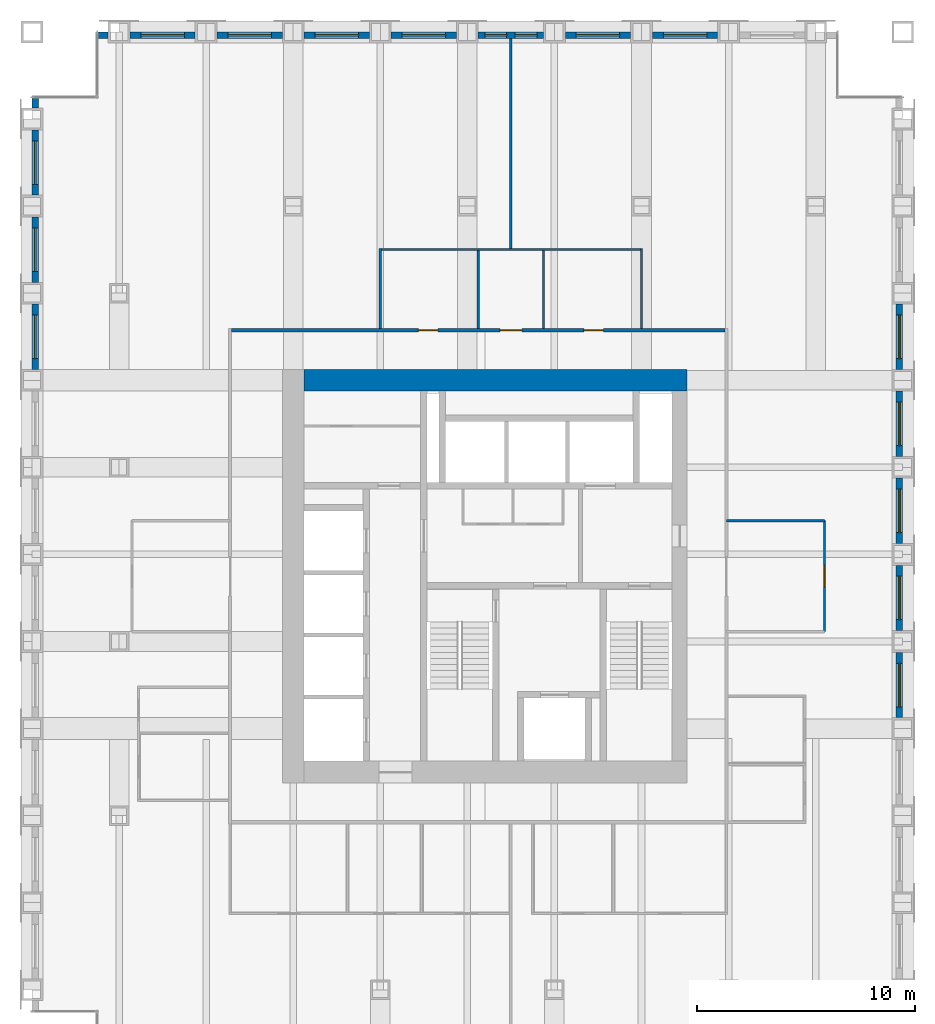
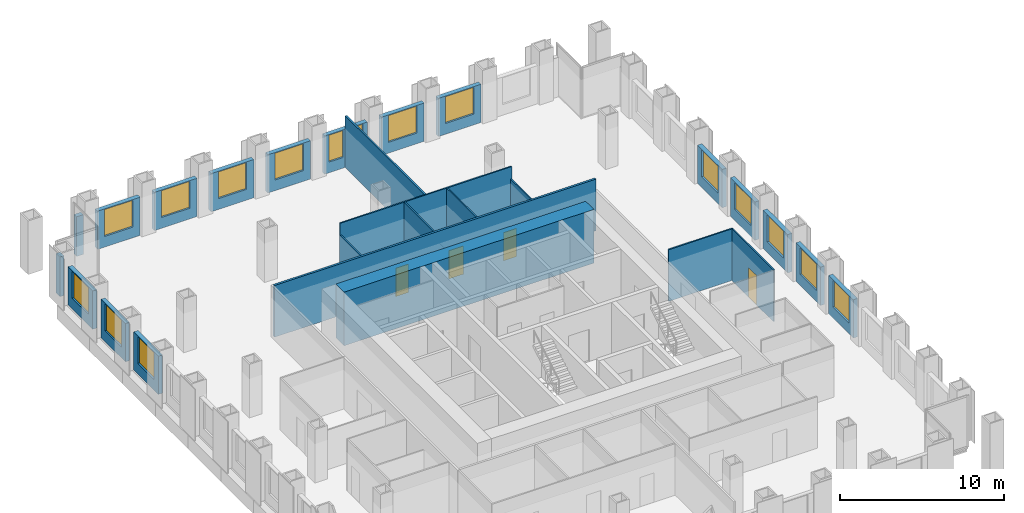
# One storey, part 10 of 12: 27 walls, 16 windows, 4 doors, 20 openings.
"""IFC4 building model written with IfcOpenShell, lengths in metres."""

from ifc_helpers import new_model, si_unit, direction, frame, frame_2d, origin, place, context, subcontext, project, spatial, rectangle, extrude, material, layer, layer_set, type_object, element, fill, save


model = new_model("IFC4")

# Units and contexts
model_context = context("Model", 3, precision=1e-05, world=origin(), true_north=direction((0.0, 1.0)))
body_context = subcontext(model_context, "Body", "Model", "MODEL_VIEW")
ifc_project = project(units=[si_unit("LENGTHUNIT", "METRE"), si_unit("AREAUNIT", "SQUARE_METRE"), si_unit("VOLUMEUNIT", "CUBIC_METRE"), si_unit("PLANEANGLEUNIT", "RADIAN"), si_unit("MASSUNIT", "GRAM", prefix="KILO")], contexts=[model_context])

# Site, building, storey
site_placement = place(None, origin())
site = spatial("IfcSite", under=ifc_project, at=site_placement, CompositionType="ELEMENT")
building_placement = place(site_placement, origin())
building = spatial("IfcBuilding", under=site, at=building_placement, Name="Rimbunsela Tower", CompositionType="ELEMENT")
storey_placement = place(building_placement, frame((0.0, 0.0, 155.800048828125)))
storey = spatial("IfcBuildingStorey", under=building, at=storey_placement, Name="L37", CompositionType="ELEMENT", Elevation=155.800048828125)

# Wall
ifc_material_1 = material(Name="Concrete fc' 80 MPa", Category="concrete")
ifc_layer_1 = layer(ifc_material_1, 1.0)
ifc_layer_set_1 = layer_set([ifc_layer_1], Name="Core wall 1000")
wall_type_1 = type_object("IfcWallType", Name="Core wall 1000", PredefinedType="SHEAR", material=ifc_layer_set_1)
wall_1_placement = place(storey_placement, frame((18.5, 36.0, -0.150146484375), z_axis=(0.0, 0.0, 1.0), x_axis=(1.0, 0.0, 0.0)))
element("IfcWall", 1, at=wall_1_placement, inside=storey, type_object=wall_type_1, Name="Core wall north", PredefinedType="SHEAR", context=body_context, shape_type="SweptSolid", body=[
    extrude(rectangle(XDim=17.60009765625, YDim=1.0, at=frame_2d((8.800048828125, 0.0))), origin(), (0.0, 0.0, 1.0), 4.0),
])

# Wall, opening, door
ifc_material_2 = material(Name="Gypsum board on steel studs", Category="steel")
ifc_layer_2 = layer(ifc_material_2, 0.10009765625)
ifc_layer_set_2 = layer_set([ifc_layer_2], Name="Office partition 100")
wall_type_2 = type_object("IfcWallType", Name="Office partition 100", PredefinedType="PARTITIONING", material=ifc_layer_set_2)
wall_2_placement = place(storey_placement, frame((42.39990234375, 24.449951171875, 0.0), z_axis=(0.0, 0.0, 1.0), x_axis=(0.0, 1.0, 0.0)))
wall_2 = element("IfcWall", 2, at=wall_2_placement, inside=storey, type_object=wall_type_2, Name="Office partition", PredefinedType="PARTITIONING", context=body_context, shape_type="SweptSolid", body=[
    extrude(rectangle(XDim=5.10009765625, YDim=0.10009765625, at=frame_2d((2.550048828125, 0.0))), origin(), (0.0, 0.0, 1.0), 3.849853515625),
])
opening_1_placement = place(wall_2_placement, frame((2.050048828125, 0.0, 0.0)))
opening_1 = element("IfcOpeningElement", 3, at=opening_1_placement, cuts=wall_2, Name="Opening D17", PredefinedType="OPENING", context=body_context, shape_type="SweptSolid", body=[
    extrude(rectangle(XDim=1.0, YDim=2.199951171875, at=frame_2d((0.5, 1.10009765625))), frame((0.0, 0.06005859375, 0.0), z_axis=(0.0, -1.0, 0.0), x_axis=(1.0, 0.0, 0.0)), (0.0, 0.0, 1.0), 0.1201171875),
])
ifc_material_3 = material(Name="Glazed aluminium door", Category="aluminium")
door_type_1 = type_object("IfcDoorType", Name="Meeting room door 1000 glazed", OperationType="SINGLE_SWING_RIGHT", PredefinedType="DOOR", material=ifc_material_3)
door_1_placement = place(opening_1_placement, origin())
door_1 = element("IfcDoor", 4, at=door_1_placement, inside=storey, type_object=door_type_1, Name="Reception door", OperationType="SINGLE_SWING_RIGHT", OverallHeight=2.199951171875, OverallWidth=1.0, PredefinedType="DOOR", context=body_context, shape_type="SweptSolid", body=[
    extrude(rectangle(XDim=1.0, YDim=2.199951171875, at=frame_2d((0.5, 1.10009765625))), frame((0.0, 0.02490234375, 0.0), z_axis=(0.0, -1.0, 0.0), x_axis=(1.0, 0.0, 0.0)), (0.0, 0.0, 1.0), 0.050048828125),
])
fill(opening_1, door_1)

# Wall
wall_3_placement = place(storey_placement, frame((42.39990234375, 29.550048828125, 0.0), z_axis=(0.0, 0.0, 1.0), x_axis=(-1.0, 0.0, 0.0)))
element("IfcWall", 5, at=wall_3_placement, inside=storey, type_object=wall_type_2, Name="Office partition", PredefinedType="PARTITIONING", context=body_context, shape_type="SweptSolid", body=[
    extrude(rectangle(XDim=4.5, YDim=0.10009765625, at=frame_2d((2.25, 0.0))), origin(), (0.0, 0.0, 1.0), 3.849853515625),
])

# Wall, opening, window
ifc_material_4 = material(Name="Precast concrete fc' 35 MPa", Category="concrete")
ifc_layer_3 = layer(ifc_material_4, 0.300048828125)
ifc_layer_set_3 = layer_set([ifc_layer_3], Name="Precast concrete fc' 35 MPa")
wall_type_3 = type_object("IfcWallType", Name="Precast facade panel 300", PredefinedType="ELEMENTEDWALL", material=ifc_layer_set_3)
wall_4_placement = place(storey_placement, frame((45.85009765625, 20.5, 0.0), z_axis=(0.0, 0.0, 1.0), x_axis=(0.0, 1.0, 0.0)))
wall_4 = element("IfcWall", 6, at=wall_4_placement, inside=storey, type_object=wall_type_3, Name="Facade panel E L37", PredefinedType="ELEMENTEDWALL", context=body_context, shape_type="SweptSolid", body=[
    extrude(rectangle(XDim=3.0, YDim=0.300048828125, at=frame_2d((1.5, 0.0))), origin(), (0.0, 0.0, 1.0), 2.849853515625),
])
opening_2_placement = place(wall_4_placement, frame((0.5, 0.0, 0.800048828125)))
opening_2 = element("IfcOpeningElement", 7, at=opening_2_placement, cuts=wall_4, Name="Opening W1", PredefinedType="OPENING", context=body_context, shape_type="SweptSolid", body=[
    extrude(rectangle(XDim=2.0, YDim=2.0, at=frame_2d((1.0, 1.0))), frame((0.0, 0.159912109375, 0.0), z_axis=(0.0, -1.0, 0.0), x_axis=(1.0, 0.0, 0.0)), (0.0, 0.0, 1.0), 0.320068359375),
])
ifc_material_5 = material(Name="Clear glass in aluminium frame", Category="aluminium")
window_type_1 = type_object("IfcWindowType", Name="Window W1 2000x2000", PartitioningType="DOUBLE_PANEL_VERTICAL", PredefinedType="WINDOW", material=ifc_material_5)
window_1_placement = place(opening_2_placement, origin())
window_1 = element("IfcWindow", 8, at=window_1_placement, inside=storey, type_object=window_type_1, Name="Window L37", OverallHeight=2.0, OverallWidth=2.0, PartitioningType="SINGLE_PANEL", PredefinedType="WINDOW", context=body_context, shape_type="SweptSolid", body=[
    extrude(rectangle(XDim=2.0, YDim=2.0, at=frame_2d((1.0, 1.0))), frame((0.0, 0.030029296875, 0.0), z_axis=(0.0, -1.0, 0.0), x_axis=(1.0, 0.0, 0.0)), (0.0, 0.0, 1.0), 0.06005859375),
])
fill(opening_2, window_1)

wall_5_placement = place(storey_placement, frame((45.85009765625, 24.5, 0.0), z_axis=(0.0, 0.0, 1.0), x_axis=(0.0, 1.0, 0.0)))
wall_5 = element("IfcWall", 9, at=wall_5_placement, inside=storey, type_object=wall_type_3, Name="Facade panel E L37", PredefinedType="ELEMENTEDWALL", context=body_context, shape_type="SweptSolid", body=[
    extrude(rectangle(XDim=3.0, YDim=0.300048828125, at=frame_2d((1.5, 0.0))), origin(), (0.0, 0.0, 1.0), 2.849853515625),
])
opening_3_placement = place(wall_5_placement, frame((0.5, 0.0, 0.800048828125)))
opening_3 = element("IfcOpeningElement", 10, at=opening_3_placement, cuts=wall_5, Name="Opening W1", PredefinedType="OPENING", context=body_context, shape_type="SweptSolid", body=[
    extrude(rectangle(XDim=2.0, YDim=2.0, at=frame_2d((1.0, 1.0))), frame((0.0, 0.159912109375, 0.0), z_axis=(0.0, -1.0, 0.0), x_axis=(1.0, 0.0, 0.0)), (0.0, 0.0, 1.0), 0.320068359375),
])
window_2_placement = place(opening_3_placement, origin())
window_2 = element("IfcWindow", 11, at=window_2_placement, inside=storey, type_object=window_type_1, Name="Window L37", OverallHeight=2.0, OverallWidth=2.0, PartitioningType="SINGLE_PANEL", PredefinedType="WINDOW", context=body_context, shape_type="SweptSolid", body=[
    extrude(rectangle(XDim=2.0, YDim=2.0, at=frame_2d((1.0, 1.0))), frame((0.0, 0.030029296875, 0.0), z_axis=(0.0, -1.0, 0.0), x_axis=(1.0, 0.0, 0.0)), (0.0, 0.0, 1.0), 0.06005859375),
])
fill(opening_3, window_2)

wall_6_placement = place(storey_placement, frame((45.85009765625, 28.5, 0.0), z_axis=(0.0, 0.0, 1.0), x_axis=(0.0, 1.0, 0.0)))
wall_6 = element("IfcWall", 12, at=wall_6_placement, inside=storey, type_object=wall_type_3, Name="Facade panel E L37", PredefinedType="ELEMENTEDWALL", context=body_context, shape_type="SweptSolid", body=[
    extrude(rectangle(XDim=3.0, YDim=0.300048828125, at=frame_2d((1.5, 0.0))), origin(), (0.0, 0.0, 1.0), 2.849853515625),
])
opening_4_placement = place(wall_6_placement, frame((0.5, 0.0, 0.800048828125)))
opening_4 = element("IfcOpeningElement", 13, at=opening_4_placement, cuts=wall_6, Name="Opening W1", PredefinedType="OPENING", context=body_context, shape_type="SweptSolid", body=[
    extrude(rectangle(XDim=2.0, YDim=2.0, at=frame_2d((1.0, 1.0))), frame((0.0, 0.159912109375, 0.0), z_axis=(0.0, -1.0, 0.0), x_axis=(1.0, 0.0, 0.0)), (0.0, 0.0, 1.0), 0.320068359375),
])
window_3_placement = place(opening_4_placement, origin())
window_3 = element("IfcWindow", 14, at=window_3_placement, inside=storey, type_object=window_type_1, Name="Window L37", OverallHeight=2.0, OverallWidth=2.0, PartitioningType="SINGLE_PANEL", PredefinedType="WINDOW", context=body_context, shape_type="SweptSolid", body=[
    extrude(rectangle(XDim=2.0, YDim=2.0, at=frame_2d((1.0, 1.0))), frame((0.0, 0.030029296875, 0.0), z_axis=(0.0, -1.0, 0.0), x_axis=(1.0, 0.0, 0.0)), (0.0, 0.0, 1.0), 0.06005859375),
])
fill(opening_4, window_3)

wall_7_placement = place(storey_placement, frame((45.85009765625, 32.5, 0.0), z_axis=(0.0, 0.0, 1.0), x_axis=(0.0, 1.0, 0.0)))
wall_7 = element("IfcWall", 15, at=wall_7_placement, inside=storey, type_object=wall_type_3, Name="Facade panel E L37", PredefinedType="ELEMENTEDWALL", context=body_context, shape_type="SweptSolid", body=[
    extrude(rectangle(XDim=3.0, YDim=0.300048828125, at=frame_2d((1.5, 0.0))), origin(), (0.0, 0.0, 1.0), 2.849853515625),
])
opening_5_placement = place(wall_7_placement, frame((0.5, 0.0, 0.800048828125)))
opening_5 = element("IfcOpeningElement", 16, at=opening_5_placement, cuts=wall_7, Name="Opening W1", PredefinedType="OPENING", context=body_context, shape_type="SweptSolid", body=[
    extrude(rectangle(XDim=2.0, YDim=2.0, at=frame_2d((1.0, 1.0))), frame((0.0, 0.159912109375, 0.0), z_axis=(0.0, -1.0, 0.0), x_axis=(1.0, 0.0, 0.0)), (0.0, 0.0, 1.0), 0.320068359375),
])
window_4_placement = place(opening_5_placement, origin())
window_4 = element("IfcWindow", 17, at=window_4_placement, inside=storey, type_object=window_type_1, Name="Window L37", OverallHeight=2.0, OverallWidth=2.0, PartitioningType="SINGLE_PANEL", PredefinedType="WINDOW", context=body_context, shape_type="SweptSolid", body=[
    extrude(rectangle(XDim=2.0, YDim=2.0, at=frame_2d((1.0, 1.0))), frame((0.0, 0.030029296875, 0.0), z_axis=(0.0, -1.0, 0.0), x_axis=(1.0, 0.0, 0.0)), (0.0, 0.0, 1.0), 0.06005859375),
])
fill(opening_5, window_4)

wall_8_placement = place(storey_placement, frame((45.85009765625, 36.5, 0.0), z_axis=(0.0, 0.0, 1.0), x_axis=(0.0, 1.0, 0.0)))
wall_8 = element("IfcWall", 18, at=wall_8_placement, inside=storey, type_object=wall_type_3, Name="Facade panel E L37", PredefinedType="ELEMENTEDWALL", context=body_context, shape_type="SweptSolid", body=[
    extrude(rectangle(XDim=3.0, YDim=0.300048828125, at=frame_2d((1.5, 0.0))), origin(), (0.0, 0.0, 1.0), 2.849853515625),
])
opening_6_placement = place(wall_8_placement, frame((0.5, 0.0, 0.800048828125)))
opening_6 = element("IfcOpeningElement", 19, at=opening_6_placement, cuts=wall_8, Name="Opening W1", PredefinedType="OPENING", context=body_context, shape_type="SweptSolid", body=[
    extrude(rectangle(XDim=2.0, YDim=2.0, at=frame_2d((1.0, 1.0))), frame((0.0, 0.159912109375, 0.0), z_axis=(0.0, -1.0, 0.0), x_axis=(1.0, 0.0, 0.0)), (0.0, 0.0, 1.0), 0.320068359375),
])
window_5_placement = place(opening_6_placement, origin())
window_5 = element("IfcWindow", 20, at=window_5_placement, inside=storey, type_object=window_type_1, Name="Window L37", OverallHeight=2.0, OverallWidth=2.0, PartitioningType="SINGLE_PANEL", PredefinedType="WINDOW", context=body_context, shape_type="SweptSolid", body=[
    extrude(rectangle(XDim=2.0, YDim=2.0, at=frame_2d((1.0, 1.0))), frame((0.0, 0.030029296875, 0.0), z_axis=(0.0, -1.0, 0.0), x_axis=(1.0, 0.0, 0.0)), (0.0, 0.0, 1.0), 0.06005859375),
])
fill(opening_6, window_5)

# Wall
wall_9_placement = place(storey_placement, frame((9.5, 51.85009765625, 0.0), z_axis=(0.0, 0.0, 1.0), x_axis=(-1.0, 0.0, 0.0)))
element("IfcWall", 21, at=wall_9_placement, inside=storey, type_object=wall_type_3, Name="Facade panel N L37", PredefinedType="ELEMENTEDWALL", context=body_context, shape_type="SweptSolid", body=[
    extrude(rectangle(XDim=0.469970703125, YDim=0.300048828125, at=frame_2d((0.23486328125, 0.0))), origin(), (0.0, 0.0, 1.0), 2.949951171875),
])

# Wall, opening, window
wall_10_placement = place(storey_placement, frame((13.5, 51.85009765625, 0.0), z_axis=(0.0, 0.0, 1.0), x_axis=(-1.0, 0.0, 0.0)))
wall_10 = element("IfcWall", 22, at=wall_10_placement, inside=storey, type_object=wall_type_3, Name="Facade panel N L37", PredefinedType="ELEMENTEDWALL", context=body_context, shape_type="SweptSolid", body=[
    extrude(rectangle(XDim=3.0, YDim=0.300048828125, at=frame_2d((1.5, 0.0))), origin(), (0.0, 0.0, 1.0), 2.849853515625),
])
opening_7_placement = place(wall_10_placement, frame((0.5, 0.0, 0.800048828125)))
opening_7 = element("IfcOpeningElement", 23, at=opening_7_placement, cuts=wall_10, Name="Opening W1", PredefinedType="OPENING", context=body_context, shape_type="SweptSolid", body=[
    extrude(rectangle(XDim=2.0, YDim=2.0, at=frame_2d((1.0, 1.0))), frame((0.0, 0.159912109375, 0.0), z_axis=(0.0, -1.0, 0.0), x_axis=(1.0, 0.0, 0.0)), (0.0, 0.0, 1.0), 0.320068359375),
])
window_6_placement = place(opening_7_placement, origin())
window_6 = element("IfcWindow", 24, at=window_6_placement, inside=storey, type_object=window_type_1, Name="Window L37", OverallHeight=2.0, OverallWidth=2.0, PartitioningType="SINGLE_PANEL", PredefinedType="WINDOW", context=body_context, shape_type="SweptSolid", body=[
    extrude(rectangle(XDim=2.0, YDim=2.0, at=frame_2d((1.0, 1.0))), frame((0.0, 0.030029296875, 0.0), z_axis=(0.0, -1.0, 0.0), x_axis=(1.0, 0.0, 0.0)), (0.0, 0.0, 1.0), 0.06005859375),
])
fill(opening_7, window_6)

wall_11_placement = place(storey_placement, frame((17.5, 51.85009765625, 0.0), z_axis=(0.0, 0.0, 1.0), x_axis=(-1.0, 0.0, 0.0)))
wall_11 = element("IfcWall", 25, at=wall_11_placement, inside=storey, type_object=wall_type_3, Name="Facade panel N L37", PredefinedType="ELEMENTEDWALL", context=body_context, shape_type="SweptSolid", body=[
    extrude(rectangle(XDim=3.0, YDim=0.300048828125, at=frame_2d((1.5, 0.0))), origin(), (0.0, 0.0, 1.0), 2.849853515625),
])
opening_8_placement = place(wall_11_placement, frame((0.5, 0.0, 0.800048828125)))
opening_8 = element("IfcOpeningElement", 26, at=opening_8_placement, cuts=wall_11, Name="Opening W1", PredefinedType="OPENING", context=body_context, shape_type="SweptSolid", body=[
    extrude(rectangle(XDim=2.0, YDim=2.0, at=frame_2d((1.0, 1.0))), frame((0.0, 0.159912109375, 0.0), z_axis=(0.0, -1.0, 0.0), x_axis=(1.0, 0.0, 0.0)), (0.0, 0.0, 1.0), 0.320068359375),
])
window_7_placement = place(opening_8_placement, origin())
window_7 = element("IfcWindow", 27, at=window_7_placement, inside=storey, type_object=window_type_1, Name="Window L37", OverallHeight=2.0, OverallWidth=2.0, PartitioningType="SINGLE_PANEL", PredefinedType="WINDOW", context=body_context, shape_type="SweptSolid", body=[
    extrude(rectangle(XDim=2.0, YDim=2.0, at=frame_2d((1.0, 1.0))), frame((0.0, 0.030029296875, 0.0), z_axis=(0.0, -1.0, 0.0), x_axis=(1.0, 0.0, 0.0)), (0.0, 0.0, 1.0), 0.06005859375),
])
fill(opening_8, window_7)

wall_12_placement = place(storey_placement, frame((21.5, 51.85009765625, 0.0), z_axis=(0.0, 0.0, 1.0), x_axis=(-1.0, 0.0, 0.0)))
wall_12 = element("IfcWall", 28, at=wall_12_placement, inside=storey, type_object=wall_type_3, Name="Facade panel N L37", PredefinedType="ELEMENTEDWALL", context=body_context, shape_type="SweptSolid", body=[
    extrude(rectangle(XDim=3.0, YDim=0.300048828125, at=frame_2d((1.5, 0.0))), origin(), (0.0, 0.0, 1.0), 2.849853515625),
])
opening_9_placement = place(wall_12_placement, frame((0.5, 0.0, 0.800048828125)))
opening_9 = element("IfcOpeningElement", 29, at=opening_9_placement, cuts=wall_12, Name="Opening W1", PredefinedType="OPENING", context=body_context, shape_type="SweptSolid", body=[
    extrude(rectangle(XDim=2.0, YDim=2.0, at=frame_2d((1.0, 1.0))), frame((0.0, 0.159912109375, 0.0), z_axis=(0.0, -1.0, 0.0), x_axis=(1.0, 0.0, 0.0)), (0.0, 0.0, 1.0), 0.320068359375),
])
window_8_placement = place(opening_9_placement, origin())
window_8 = element("IfcWindow", 30, at=window_8_placement, inside=storey, type_object=window_type_1, Name="Window L37", OverallHeight=2.0, OverallWidth=2.0, PartitioningType="SINGLE_PANEL", PredefinedType="WINDOW", context=body_context, shape_type="SweptSolid", body=[
    extrude(rectangle(XDim=2.0, YDim=2.0, at=frame_2d((1.0, 1.0))), frame((0.0, 0.030029296875, 0.0), z_axis=(0.0, -1.0, 0.0), x_axis=(1.0, 0.0, 0.0)), (0.0, 0.0, 1.0), 0.06005859375),
])
fill(opening_9, window_8)

wall_13_placement = place(storey_placement, frame((25.5, 51.85009765625, 0.0), z_axis=(0.0, 0.0, 1.0), x_axis=(-1.0, 0.0, 0.0)))
wall_13 = element("IfcWall", 31, at=wall_13_placement, inside=storey, type_object=wall_type_3, Name="Facade panel N L37", PredefinedType="ELEMENTEDWALL", context=body_context, shape_type="SweptSolid", body=[
    extrude(rectangle(XDim=3.0, YDim=0.300048828125, at=frame_2d((1.5, 0.0))), origin(), (0.0, 0.0, 1.0), 2.849853515625),
])
opening_10_placement = place(wall_13_placement, frame((0.5, 0.0, 0.800048828125)))
opening_10 = element("IfcOpeningElement", 32, at=opening_10_placement, cuts=wall_13, Name="Opening W1", PredefinedType="OPENING", context=body_context, shape_type="SweptSolid", body=[
    extrude(rectangle(XDim=2.0, YDim=2.0, at=frame_2d((1.0, 1.0))), frame((0.0, 0.159912109375, 0.0), z_axis=(0.0, -1.0, 0.0), x_axis=(1.0, 0.0, 0.0)), (0.0, 0.0, 1.0), 0.320068359375),
])
window_9_placement = place(opening_10_placement, origin())
window_9 = element("IfcWindow", 33, at=window_9_placement, inside=storey, type_object=window_type_1, Name="Window L37", OverallHeight=2.0, OverallWidth=2.0, PartitioningType="SINGLE_PANEL", PredefinedType="WINDOW", context=body_context, shape_type="SweptSolid", body=[
    extrude(rectangle(XDim=2.0, YDim=2.0, at=frame_2d((1.0, 1.0))), frame((0.0, 0.030029296875, 0.0), z_axis=(0.0, -1.0, 0.0), x_axis=(1.0, 0.0, 0.0)), (0.0, 0.0, 1.0), 0.06005859375),
])
fill(opening_10, window_9)

# Wall, openings, windows
wall_14_placement = place(storey_placement, frame((29.5, 51.85009765625, 0.0), z_axis=(0.0, 0.0, 1.0), x_axis=(-1.0, 0.0, 0.0)))
wall_14 = element("IfcWall", 34, at=wall_14_placement, inside=storey, type_object=wall_type_3, Name="Facade panel N L37", PredefinedType="ELEMENTEDWALL", context=body_context, shape_type="SweptSolid", body=[
    extrude(rectangle(XDim=3.0, YDim=0.300048828125, at=frame_2d((1.5, 0.0))), origin(), (0.0, 0.0, 1.0), 2.849853515625),
])
opening_11_placement = place(wall_14_placement, frame((1.699951171875, 0.0, 0.800048828125)))
opening_11 = element("IfcOpeningElement", 35, at=opening_11_placement, cuts=wall_14, Name="Opening W5", PredefinedType="OPENING", context=body_context, shape_type="SweptSolid", body=[
    extrude(rectangle(XDim=1.0, YDim=2.0, at=frame_2d((0.5, 1.0))), frame((0.0, 0.159912109375, 0.0), z_axis=(0.0, -1.0, 0.0), x_axis=(1.0, 0.0, 0.0)), (0.0, 0.0, 1.0), 0.320068359375),
])
opening_12_placement = place(wall_14_placement, frame((0.300048828125, 0.0, 0.800048828125)))
opening_12 = element("IfcOpeningElement", 36, at=opening_12_placement, cuts=wall_14, Name="Opening W5", PredefinedType="OPENING", context=body_context, shape_type="SweptSolid", body=[
    extrude(rectangle(XDim=1.0, YDim=2.0, at=frame_2d((0.5, 1.0))), frame((0.0, 0.159912109375, 0.0), z_axis=(0.0, -1.0, 0.0), x_axis=(1.0, 0.0, 0.0)), (0.0, 0.0, 1.0), 0.320068359375),
])
ifc_material_6 = material(Name="Clear glass in aluminium frame", Category="aluminium")
window_type_2 = type_object("IfcWindowType", Name="Window W5 1000x2000", PartitioningType="SINGLE_PANEL", PredefinedType="WINDOW", material=ifc_material_6)
window_10_placement = place(opening_11_placement, origin())
window_10 = element("IfcWindow", 37, at=window_10_placement, inside=storey, type_object=window_type_2, Name="Window L37", OverallHeight=2.0, OverallWidth=1.0, PartitioningType="SINGLE_PANEL", PredefinedType="WINDOW", context=body_context, shape_type="SweptSolid", body=[
    extrude(rectangle(XDim=1.0, YDim=2.0, at=frame_2d((0.5, 1.0))), frame((0.0, 0.030029296875, 0.0), z_axis=(0.0, -1.0, 0.0), x_axis=(1.0, 0.0, 0.0)), (0.0, 0.0, 1.0), 0.06005859375),
])
fill(opening_11, window_10)
window_11_placement = place(opening_12_placement, origin())
window_11 = element("IfcWindow", 38, at=window_11_placement, inside=storey, type_object=window_type_2, Name="Window L37", OverallHeight=2.0, OverallWidth=1.0, PartitioningType="SINGLE_PANEL", PredefinedType="WINDOW", context=body_context, shape_type="SweptSolid", body=[
    extrude(rectangle(XDim=1.0, YDim=2.0, at=frame_2d((0.5, 1.0))), frame((0.0, 0.030029296875, 0.0), z_axis=(0.0, -1.0, 0.0), x_axis=(1.0, 0.0, 0.0)), (0.0, 0.0, 1.0), 0.06005859375),
])
fill(opening_12, window_11)

# Wall, opening, window
wall_15_placement = place(storey_placement, frame((33.5, 51.85009765625, 0.0), z_axis=(0.0, 0.0, 1.0), x_axis=(-1.0, 0.0, 0.0)))
wall_15 = element("IfcWall", 39, at=wall_15_placement, inside=storey, type_object=wall_type_3, Name="Facade panel N L37", PredefinedType="ELEMENTEDWALL", context=body_context, shape_type="SweptSolid", body=[
    extrude(rectangle(XDim=3.0, YDim=0.300048828125, at=frame_2d((1.5, 0.0))), origin(), (0.0, 0.0, 1.0), 2.849853515625),
])
opening_13_placement = place(wall_15_placement, frame((0.5, 0.0, 0.800048828125)))
opening_13 = element("IfcOpeningElement", 40, at=opening_13_placement, cuts=wall_15, Name="Opening W1", PredefinedType="OPENING", context=body_context, shape_type="SweptSolid", body=[
    extrude(rectangle(XDim=2.0, YDim=2.0, at=frame_2d((1.0, 1.0))), frame((0.0, 0.159912109375, 0.0), z_axis=(0.0, -1.0, 0.0), x_axis=(1.0, 0.0, 0.0)), (0.0, 0.0, 1.0), 0.320068359375),
])
window_12_placement = place(opening_13_placement, origin())
window_12 = element("IfcWindow", 41, at=window_12_placement, inside=storey, type_object=window_type_1, Name="Window L37", OverallHeight=2.0, OverallWidth=2.0, PartitioningType="SINGLE_PANEL", PredefinedType="WINDOW", context=body_context, shape_type="SweptSolid", body=[
    extrude(rectangle(XDim=2.0, YDim=2.0, at=frame_2d((1.0, 1.0))), frame((0.0, 0.030029296875, 0.0), z_axis=(0.0, -1.0, 0.0), x_axis=(1.0, 0.0, 0.0)), (0.0, 0.0, 1.0), 0.06005859375),
])
fill(opening_13, window_12)

wall_16_placement = place(storey_placement, frame((37.5, 51.85009765625, 0.0), z_axis=(0.0, 0.0, 1.0), x_axis=(-1.0, 0.0, 0.0)))
wall_16 = element("IfcWall", 42, at=wall_16_placement, inside=storey, type_object=wall_type_3, Name="Facade panel N L37", PredefinedType="ELEMENTEDWALL", context=body_context, shape_type="SweptSolid", body=[
    extrude(rectangle(XDim=3.0, YDim=0.300048828125, at=frame_2d((1.5, 0.0))), origin(), (0.0, 0.0, 1.0), 2.849853515625),
])
opening_14_placement = place(wall_16_placement, frame((0.5, 0.0, 0.800048828125)))
opening_14 = element("IfcOpeningElement", 43, at=opening_14_placement, cuts=wall_16, Name="Opening W1", PredefinedType="OPENING", context=body_context, shape_type="SweptSolid", body=[
    extrude(rectangle(XDim=2.0, YDim=2.0, at=frame_2d((1.0, 1.0))), frame((0.0, 0.159912109375, 0.0), z_axis=(0.0, -1.0, 0.0), x_axis=(1.0, 0.0, 0.0)), (0.0, 0.0, 1.0), 0.320068359375),
])
window_13_placement = place(opening_14_placement, origin())
window_13 = element("IfcWindow", 44, at=window_13_placement, inside=storey, type_object=window_type_1, Name="Window L37", OverallHeight=2.0, OverallWidth=2.0, PartitioningType="SINGLE_PANEL", PredefinedType="WINDOW", context=body_context, shape_type="SweptSolid", body=[
    extrude(rectangle(XDim=2.0, YDim=2.0, at=frame_2d((1.0, 1.0))), frame((0.0, 0.030029296875, 0.0), z_axis=(0.0, -1.0, 0.0), x_axis=(1.0, 0.0, 0.0)), (0.0, 0.0, 1.0), 0.06005859375),
])
fill(opening_14, window_13)

wall_17_placement = place(storey_placement, frame((6.14990234375, 39.5, 0.0), z_axis=(0.0, 0.0, 1.0), x_axis=(0.0, -1.0, 0.0)))
wall_17 = element("IfcWall", 45, at=wall_17_placement, inside=storey, type_object=wall_type_3, Name="Facade panel W L37", PredefinedType="ELEMENTEDWALL", context=body_context, shape_type="SweptSolid", body=[
    extrude(rectangle(XDim=3.0, YDim=0.300048828125, at=frame_2d((1.5, 0.0))), origin(), (0.0, 0.0, 1.0), 2.849853515625),
])
opening_15_placement = place(wall_17_placement, frame((0.5, 0.0, 0.800048828125)))
opening_15 = element("IfcOpeningElement", 46, at=opening_15_placement, cuts=wall_17, Name="Opening W1", PredefinedType="OPENING", context=body_context, shape_type="SweptSolid", body=[
    extrude(rectangle(XDim=2.0, YDim=2.0, at=frame_2d((1.0, 1.0))), frame((0.0, 0.159912109375, 0.0), z_axis=(0.0, -1.0, 0.0), x_axis=(1.0, 0.0, 0.0)), (0.0, 0.0, 1.0), 0.320068359375),
])
window_14_placement = place(opening_15_placement, origin())
window_14 = element("IfcWindow", 47, at=window_14_placement, inside=storey, type_object=window_type_1, Name="Window L37", OverallHeight=2.0, OverallWidth=2.0, PartitioningType="SINGLE_PANEL", PredefinedType="WINDOW", context=body_context, shape_type="SweptSolid", body=[
    extrude(rectangle(XDim=2.0, YDim=2.0, at=frame_2d((1.0, 1.0))), frame((0.0, 0.030029296875, 0.0), z_axis=(0.0, -1.0, 0.0), x_axis=(1.0, 0.0, 0.0)), (0.0, 0.0, 1.0), 0.06005859375),
])
fill(opening_15, window_14)

wall_18_placement = place(storey_placement, frame((6.14990234375, 43.5, 0.0), z_axis=(0.0, 0.0, 1.0), x_axis=(0.0, -1.0, 0.0)))
wall_18 = element("IfcWall", 48, at=wall_18_placement, inside=storey, type_object=wall_type_3, Name="Facade panel W L37", PredefinedType="ELEMENTEDWALL", context=body_context, shape_type="SweptSolid", body=[
    extrude(rectangle(XDim=3.0, YDim=0.300048828125, at=frame_2d((1.5, 0.0))), origin(), (0.0, 0.0, 1.0), 2.849853515625),
])
opening_16_placement = place(wall_18_placement, frame((0.5, 0.0, 0.800048828125)))
opening_16 = element("IfcOpeningElement", 49, at=opening_16_placement, cuts=wall_18, Name="Opening W1", PredefinedType="OPENING", context=body_context, shape_type="SweptSolid", body=[
    extrude(rectangle(XDim=2.0, YDim=2.0, at=frame_2d((1.0, 1.0))), frame((0.0, 0.159912109375, 0.0), z_axis=(0.0, -1.0, 0.0), x_axis=(1.0, 0.0, 0.0)), (0.0, 0.0, 1.0), 0.320068359375),
])
window_15_placement = place(opening_16_placement, origin())
window_15 = element("IfcWindow", 50, at=window_15_placement, inside=storey, type_object=window_type_1, Name="Window L37", OverallHeight=2.0, OverallWidth=2.0, PartitioningType="SINGLE_PANEL", PredefinedType="WINDOW", context=body_context, shape_type="SweptSolid", body=[
    extrude(rectangle(XDim=2.0, YDim=2.0, at=frame_2d((1.0, 1.0))), frame((0.0, 0.030029296875, 0.0), z_axis=(0.0, -1.0, 0.0), x_axis=(1.0, 0.0, 0.0)), (0.0, 0.0, 1.0), 0.06005859375),
])
fill(opening_16, window_15)

wall_19_placement = place(storey_placement, frame((6.14990234375, 47.5, 0.0), z_axis=(0.0, 0.0, 1.0), x_axis=(0.0, -1.0, 0.0)))
wall_19 = element("IfcWall", 51, at=wall_19_placement, inside=storey, type_object=wall_type_3, Name="Facade panel W L37", PredefinedType="ELEMENTEDWALL", context=body_context, shape_type="SweptSolid", body=[
    extrude(rectangle(XDim=3.0, YDim=0.300048828125, at=frame_2d((1.5, 0.0))), origin(), (0.0, 0.0, 1.0), 2.849853515625),
])
opening_17_placement = place(wall_19_placement, frame((0.5, 0.0, 0.800048828125)))
opening_17 = element("IfcOpeningElement", 52, at=opening_17_placement, cuts=wall_19, Name="Opening W1", PredefinedType="OPENING", context=body_context, shape_type="SweptSolid", body=[
    extrude(rectangle(XDim=2.0, YDim=2.0, at=frame_2d((1.0, 1.0))), frame((0.0, 0.159912109375, 0.0), z_axis=(0.0, -1.0, 0.0), x_axis=(1.0, 0.0, 0.0)), (0.0, 0.0, 1.0), 0.320068359375),
])
window_16_placement = place(opening_17_placement, origin())
window_16 = element("IfcWindow", 53, at=window_16_placement, inside=storey, type_object=window_type_1, Name="Window L37", OverallHeight=2.0, OverallWidth=2.0, PartitioningType="SINGLE_PANEL", PredefinedType="WINDOW", context=body_context, shape_type="SweptSolid", body=[
    extrude(rectangle(XDim=2.0, YDim=2.0, at=frame_2d((1.0, 1.0))), frame((0.0, 0.030029296875, 0.0), z_axis=(0.0, -1.0, 0.0), x_axis=(1.0, 0.0, 0.0)), (0.0, 0.0, 1.0), 0.06005859375),
])
fill(opening_17, window_16)

# Wall
wall_20_placement = place(storey_placement, frame((6.14990234375, 48.969970703125, 0.0), z_axis=(0.0, 0.0, 1.0), x_axis=(0.0, -1.0, 0.0)))
element("IfcWall", 54, at=wall_20_placement, inside=storey, type_object=wall_type_3, Name="Facade panel W L37", PredefinedType="ELEMENTEDWALL", context=body_context, shape_type="SweptSolid", body=[
    extrude(rectangle(XDim=0.469970703125, YDim=0.300048828125, at=frame_2d((0.23486328125, 0.0))), origin(), (0.0, 0.0, 1.0), 2.949951171875),
])

# Wall, openings, doors
ifc_material_7 = material(Name="Fire-rated gypsum board on steel studs, EI 60", Category="steel")
ifc_layer_4 = layer(ifc_material_7, 0.14990234375)
ifc_layer_set_4 = layer_set([ifc_layer_4], Name="Rated corridor wall 150")
wall_type_4 = type_object("IfcWallType", Name="Rated corridor wall 150", PredefinedType="PARTITIONING", material=ifc_layer_set_4)
wall_21_placement = place(storey_placement, frame((15.175048828125, 38.300048828125, 0.0), z_axis=(0.0, 0.0, 1.0), x_axis=(1.0, 0.0, 0.0)))
wall_21 = element("IfcWall", 55, at=wall_21_placement, inside=storey, type_object=wall_type_4, Name="Corridor wall north", PredefinedType="PARTITIONING", context=body_context, shape_type="SweptSolid", body=[
    extrude(rectangle(XDim=22.64990234375, YDim=0.14990234375, at=frame_2d((11.324951171875, 0.0))), origin(), (0.0, 0.0, 1.0), 3.849853515625),
])
opening_18_placement = place(wall_21_placement, frame((8.574951171875, 0.0, 0.0)))
opening_18 = element("IfcOpeningElement", 56, at=opening_18_placement, cuts=wall_21, Name="Opening D04", PredefinedType="OPENING", context=body_context, shape_type="SweptSolid", body=[
    extrude(rectangle(XDim=0.89990234375, YDim=2.10009765625, at=frame_2d((0.449951171875, 1.050048828125))), frame((0.0, 0.0849609375, 0.0), z_axis=(0.0, -1.0, 0.0), x_axis=(1.0, 0.0, 0.0)), (0.0, 0.0, 1.0), 0.169921875),
])
opening_19_placement = place(wall_21_placement, frame((12.324951171875, 0.0, 0.0)))
opening_19 = element("IfcOpeningElement", 57, at=opening_19_placement, cuts=wall_21, Name="Opening D05", PredefinedType="OPENING", context=body_context, shape_type="SweptSolid", body=[
    extrude(rectangle(XDim=1.0, YDim=2.10009765625, at=frame_2d((0.5, 1.050048828125))), frame((0.0, 0.0849609375, 0.0), z_axis=(0.0, -1.0, 0.0), x_axis=(1.0, 0.0, 0.0)), (0.0, 0.0, 1.0), 0.169921875),
])
opening_20_placement = place(wall_21_placement, frame((16.175048828125, 0.0, 0.0)))
opening_20 = element("IfcOpeningElement", 58, at=opening_20_placement, cuts=wall_21, Name="Opening D04", PredefinedType="OPENING", context=body_context, shape_type="SweptSolid", body=[
    extrude(rectangle(XDim=0.89990234375, YDim=2.10009765625, at=frame_2d((0.449951171875, 1.050048828125))), frame((0.0, 0.0849609375, 0.0), z_axis=(0.0, -1.0, 0.0), x_axis=(1.0, 0.0, 0.0)), (0.0, 0.0, 1.0), 0.169921875),
])
ifc_material_8 = material(Name="Timber door", Category="wood")
door_type_2 = type_object("IfcDoorType", Name="Accessible WC door 1000", OperationType="SLIDING_TO_LEFT", PredefinedType="DOOR", material=ifc_material_8)
door_2_placement = place(opening_19_placement, origin())
door_2 = element("IfcDoor", 59, at=door_2_placement, inside=storey, type_object=door_type_2, Name="Accessible WC door", OperationType="SLIDING_TO_LEFT", OverallHeight=2.10009765625, OverallWidth=1.0, PredefinedType="DOOR", context=body_context, shape_type="SweptSolid", body=[
    extrude(rectangle(XDim=1.0, YDim=2.10009765625, at=frame_2d((0.5, 1.050048828125))), frame((0.0, 0.02490234375, 0.0), z_axis=(0.0, -1.0, 0.0), x_axis=(1.0, 0.0, 0.0)), (0.0, 0.0, 1.0), 0.050048828125),
])
fill(opening_19, door_2)
ifc_material_9 = material(Name="Timber door", Category="wood")
door_type_3 = type_object("IfcDoorType", Name="Toilet door 900", OperationType="SINGLE_SWING_LEFT", PredefinedType="DOOR", material=ifc_material_9)
door_3_placement = place(opening_18_placement, origin())
door_3 = element("IfcDoor", 60, at=door_3_placement, inside=storey, type_object=door_type_3, Name="Female WC door", OperationType="SINGLE_SWING_LEFT", OverallHeight=2.10009765625, OverallWidth=0.89990234375, PredefinedType="DOOR", context=body_context, shape_type="SweptSolid", body=[
    extrude(rectangle(XDim=0.89990234375, YDim=2.10009765625, at=frame_2d((0.449951171875, 1.050048828125))), frame((0.0, 0.02490234375, 0.0), z_axis=(0.0, -1.0, 0.0), x_axis=(1.0, 0.0, 0.0)), (0.0, 0.0, 1.0), 0.050048828125),
])
fill(opening_18, door_3)
door_4_placement = place(opening_20_placement, origin())
door_4 = element("IfcDoor", 61, at=door_4_placement, inside=storey, type_object=door_type_3, Name="Male WC door", OperationType="SINGLE_SWING_LEFT", OverallHeight=2.10009765625, OverallWidth=0.89990234375, PredefinedType="DOOR", context=body_context, shape_type="SweptSolid", body=[
    extrude(rectangle(XDim=0.89990234375, YDim=2.10009765625, at=frame_2d((0.449951171875, 1.050048828125))), frame((0.0, 0.02490234375, 0.0), z_axis=(0.0, -1.0, 0.0), x_axis=(1.0, 0.0, 0.0)), (0.0, 0.0, 1.0), 0.050048828125),
])
fill(opening_20, door_4)

# Walls
ifc_material_10 = material(Name="Gypsum board on steel studs", Category="steel")
ifc_layer_5 = layer(ifc_material_10, 0.1201171875)
ifc_layer_set_5 = layer_set([ifc_layer_5], Name="Tenancy partition 120")
wall_type_5 = type_object("IfcWallType", Name="Tenancy partition 120", PredefinedType="PARTITIONING", material=ifc_layer_set_5)
wall_22_placement = place(storey_placement, frame((28.0, 42.050048828125, 0.0), z_axis=(0.0, 0.0, 1.0), x_axis=(0.0, 1.0, 0.0)))
element("IfcWall", 62, at=wall_22_placement, inside=storey, type_object=wall_type_5, Name="Tenancy partition north", PredefinedType="PARTITIONING", context=body_context, shape_type="SweptSolid", body=[
    extrude(rectangle(XDim=9.64990234375, YDim=0.1201171875, at=frame_2d((4.824951171875, 0.0))), origin(), (0.0, 0.0, 1.0), 3.849853515625),
])
ifc_material_11 = material(Name="Concrete blockwork", Category="masonry")
ifc_layer_6 = layer(ifc_material_11, 0.10009765625)
ifc_layer_set_6 = layer_set([ifc_layer_6], Name="Toilet partition 100")
wall_type_6 = type_object("IfcWallType", Name="Toilet partition 100", PredefinedType="PARTITIONING", material=ifc_layer_set_6)
for number, where, z_axis, x_axis, name in (
    (63, (22.0, 38.375, 0.0), (0.0, 0.0, 1.0), (0.0, 1.0, 0.0), "Toilet block wall west"),
    (64, (34.0, 38.375, 0.0), (0.0, 0.0, 1.0), (0.0, 1.0, 0.0), "Toilet block wall east"),
):
    element("IfcWall", number, at=place(storey_placement, frame(where, z_axis=z_axis, x_axis=x_axis)), inside=storey, type_object=wall_type_6, Name=name, PredefinedType="PARTITIONING", context=body_context, shape_type="SweptSolid", body=[
        extrude(rectangle(XDim=3.675048828125, YDim=0.10009765625, at=frame_2d((1.83740234375, 0.0))), origin(), (0.0, 0.0, 1.0), 2.949951171875),
    ])
wall_23_placement = place(storey_placement, frame((21.949951171875, 42.0, 0.0), z_axis=(0.0, 0.0, 1.0), x_axis=(1.0, 0.0, 0.0)))
element("IfcWall", 65, at=wall_23_placement, inside=storey, type_object=wall_type_6, Name="Toilet block wall north", PredefinedType="PARTITIONING", context=body_context, shape_type="SweptSolid", body=[
    extrude(rectangle(XDim=12.10009765625, YDim=0.10009765625, at=frame_2d((6.050048828125, 0.0))), origin(), (0.0, 0.0, 1.0), 3.849853515625),
])
for number, where, z_axis, x_axis, name in (
    (66, (26.5, 38.375, 0.0), (0.0, 0.0, 1.0), (0.0, 1.0, 0.0), "Toilet partition"),
    (67, (29.5, 38.375, 0.0), (0.0, 0.0, 1.0), (0.0, 1.0, 0.0), "Toilet partition"),
):
    element("IfcWall", number, at=place(storey_placement, frame(where, z_axis=z_axis, x_axis=x_axis)), inside=storey, type_object=wall_type_6, Name=name, PredefinedType="PARTITIONING", context=body_context, shape_type="SweptSolid", body=[
        extrude(rectangle(XDim=3.574951171875, YDim=0.10009765625, at=frame_2d((1.78759765625, 0.0))), origin(), (0.0, 0.0, 1.0), 3.849853515625),
    ])

save(model, "model.ifc")
